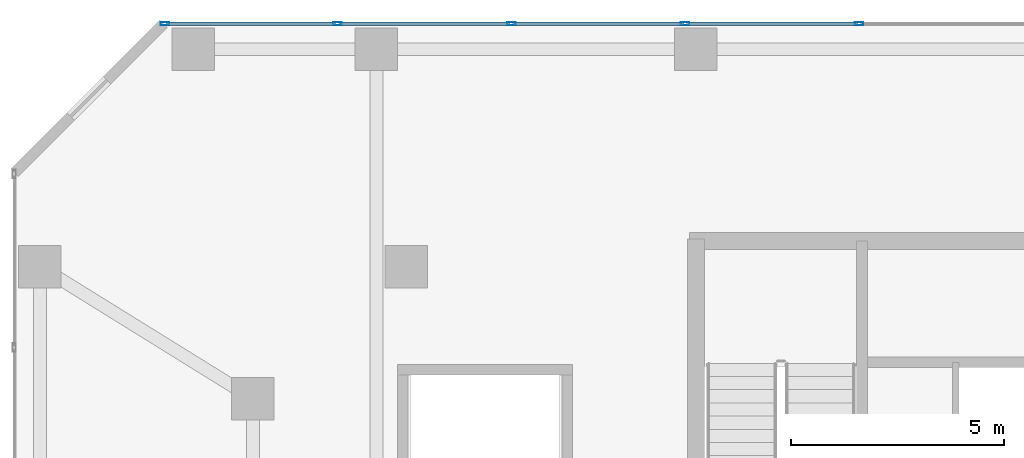
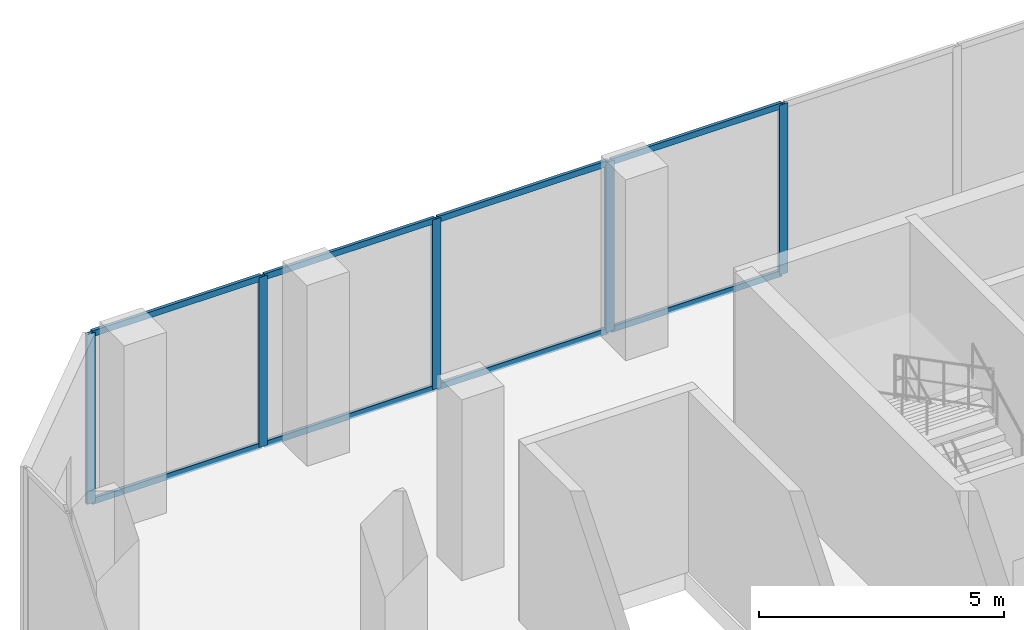
# One storey, part 15 of 24: 13 members, 1 element without a shape of its own.
"""IFC4 building model written with IfcOpenShell, lengths in metres."""

import ifcopenshell
import ifcopenshell.guid

model = None  # the IFC model being written
_history = None  # IfcOwnerHistory: only IFC2X3 demands one
_inside = {}  # id of a spatial element -> (the spatial element, [elements in it])
_under = {}  # id of a project, library or spatial element -> (it, [spatial elements below it])
_declared = {}  # id of a project -> (the project, [libraries it declares])
_typed = {}  # id of a type object -> (the type object, [elements of that type])
_made_of = {}  # id of a material, layer set ... -> (it, [elements and type objects made of it])


def new_model(schema):
    """Start an empty IFC model of exactly this schema.

    Asked for "IFC4X3", IfcOpenShell would pick the latest addendum, in which some entities
    have other attributes; the version numbers below select the first issue.
    IFC2X3 requires an IfcOwnerHistory on every rooted entity: one is made here for all.
    """
    global model, _history
    if schema == "IFC4X3":
        model = ifcopenshell.file(schema_version=(4, 3, 0, 0))
    else:
        model = ifcopenshell.file(schema=schema)
    _inside.clear()
    _under.clear()
    _declared.clear()
    _typed.clear()
    _made_of.clear()
    _history = None
    if model.schema == "IFC2X3":
        org = make("IfcOrganization", Name="unknown")
        user = make(
            "IfcPersonAndOrganization",
            ThePerson=make("IfcPerson", FamilyName="unknown"),
            TheOrganization=org,
        )
        app = make(
            "IfcApplication",
            ApplicationDeveloper=org,
            Version="unknown",
            ApplicationFullName="unknown",
            ApplicationIdentifier="unknown",
        )
        _history = make(
            "IfcOwnerHistory",
            OwningUser=user,
            OwningApplication=app,
            ChangeAction="ADDED",
            CreationDate=0,
        )
    return model


def make(cls, **values):
    """One entity of the class cls with the attributes given. An attribute that is None is left unset."""
    return model.create_entity(
        cls, **{name: value for name, value in values.items() if value is not None}
    )


def rooted(cls, **values):
    """An entity with a GlobalId (a new one), such as an element, a storey or a relation."""
    return make(cls, GlobalId=ifcopenshell.guid.new(), OwnerHistory=_history, **values)


def si_unit(unit_type, name, prefix=None):
    """IfcSIUnit, for example si_unit("LENGTHUNIT", "METRE", prefix="MILLI")."""
    return make("IfcSIUnit", UnitType=unit_type, Prefix=prefix, Name=name)


def assignment(units):
    """IfcUnitAssignment: the units of a project."""
    return None if units is None else make("IfcUnitAssignment", Units=units)


def point(xyz):
    """IfcCartesianPoint."""
    return None if xyz is None else make("IfcCartesianPoint", Coordinates=xyz)


def direction(xyz):
    """IfcDirection."""
    return None if xyz is None else make("IfcDirection", DirectionRatios=xyz)


def frame(location, z_axis=None, x_axis=None):
    """IfcAxis2Placement3D, a coordinate frame: its origin and axes. An axis left out is left unset."""
    return make(
        "IfcAxis2Placement3D",
        Location=point(location),
        Axis=direction(z_axis),
        RefDirection=direction(x_axis),
    )


def frame_2d(location, x_axis=None):
    """IfcAxis2Placement2D, a coordinate frame in the plane: its origin and x axis."""
    return make(
        "IfcAxis2Placement2D", Location=point(location), RefDirection=direction(x_axis)
    )


def origin():
    """The frame at (0, 0, 0) with its axes left unset."""
    return frame((0.0, 0.0, 0.0))


def origin_2d():
    """The frame at (0, 0) in the plane with its x axis left unset."""
    return frame_2d((0.0, 0.0))


def place(relative_to, where):
    """IfcLocalPlacement: puts the frame where relative to a parent placement (None: the world)."""
    return make(
        "IfcLocalPlacement", PlacementRelTo=relative_to, RelativePlacement=where
    )


def context(
    kind, dimensions, precision=None, world=None, true_north=None, identifier=None
):
    """IfcGeometricRepresentationContext, for example the 3D "Model" context."""
    return make(
        "IfcGeometricRepresentationContext",
        ContextIdentifier=identifier,
        ContextType=kind,
        CoordinateSpaceDimension=dimensions,
        Precision=precision,
        WorldCoordinateSystem=world,
        TrueNorth=true_north,
    )


def subcontext(parent, identifier, kind, view, scale=None):
    """IfcGeometricRepresentationSubContext, for example "Body" below "Model"."""
    return make(
        "IfcGeometricRepresentationSubContext",
        ContextIdentifier=identifier,
        ContextType=kind,
        ParentContext=parent,
        TargetScale=scale,
        TargetView=view,
    )


def project(units=None, contexts=None):
    """IfcProject with its units and contexts."""
    return rooted(
        "IfcProject",
        Name="project",
        RepresentationContexts=contexts,
        UnitsInContext=assignment(units),
    )


def spatial(cls, under=None, at=None, **own):
    """A site, building, storey or space (cls), placed at a placement, below another one or the project."""
    s = rooted(cls, ObjectPlacement=at, **own)
    if under is not None:
        _under.setdefault(under.id(), (under, []))[1].append(s)
    return s


def profile(cls, at=None, kind="AREA", **sizes):
    """A parametric profile (cls). Its sizes go by their IFC names, for example OverallWidth=200.0."""
    return make(cls, ProfileType=kind, Position=at, **sizes)


def hollow_rectangle(**sizes):
    """IfcRectangleHollowProfileDef."""
    return profile("IfcRectangleHollowProfileDef", **sizes)


def extrude(swept, where, along, depth):
    """IfcExtrudedAreaSolid: the profile swept, set in the frame where, extruded along a direction by depth."""
    return make(
        "IfcExtrudedAreaSolid",
        SweptArea=swept,
        Position=where,
        ExtrudedDirection=direction(along),
        Depth=depth,
    )


def shape(context_of_items, identifier, shape_type, items):
    """IfcShapeRepresentation: the items that make up one representation, for example the "Body"."""
    return make(
        "IfcShapeRepresentation",
        ContextOfItems=context_of_items,
        RepresentationIdentifier=identifier,
        RepresentationType=shape_type,
        Items=items,
    )


def material(Name=None, Category=None):
    """IfcMaterial."""
    return make("IfcMaterial", Name=Name, Category=Category)


def layer(
    of_material, thickness, ventilated=None, Name=None, Category=None, Priority=None
):
    """IfcMaterialLayer: one layer of a wall or slab, of a material (None: an air gap)."""
    return make(
        "IfcMaterialLayer",
        Material=of_material,
        LayerThickness=thickness,
        IsVentilated=ventilated,
        Name=Name,
        Category=Category,
        Priority=Priority,
    )


def layer_set(layers, Name=None):
    """IfcMaterialLayerSet."""
    return make("IfcMaterialLayerSet", MaterialLayers=layers, LayerSetName=Name)


def material_profile(
    of_material, cross_section, Name=None, Category=None, Priority=None
):
    """IfcMaterialProfile: a cross section and its material."""
    return make(
        "IfcMaterialProfile",
        Name=Name,
        Material=of_material,
        Profile=cross_section,
        Priority=Priority,
        Category=Category,
    )


def profile_set(profiles, Name=None, composite=None):
    """IfcMaterialProfileSet."""
    return make(
        "IfcMaterialProfileSet",
        Name=Name,
        MaterialProfiles=profiles,
        CompositeProfile=composite,
    )


def made_of(thing, what):
    """Note that an element or type object is made of a material, layer set ...; save() writes the relation."""
    if what is not None:
        _made_of.setdefault(what.id(), (what, []))[1].append(thing)
    return thing


def type_object(cls, material=None, **own):
    """A type object (cls), such as IfcWallType, which elements share."""
    return made_of(rooted(cls, **own), material)


def element(
    cls,
    number,
    at=None,
    inside=None,
    cuts=None,
    type_object=None,
    material=None,
    context=None,
    identifier="Body",
    shape_type=None,
    held_by="IfcProductDefinitionShape",
    body=None,
    shapes=None,
    **own,
):
    """One element of the class cls, such as IfcWall. Its Tag is "e" and its number.

    at: its placement. inside: the storey or other place that contains it. cuts: it is an
    opening in that element (IfcRelVoidsElement). A single representation is given by context,
    identifier, shape_type and body (its items); several are given by shapes. held_by: the class
    of the entity that holds the representations. save() writes the other relations.
    """
    e = rooted(cls, Tag="e%d" % number, ObjectPlacement=at, **own)
    if body is not None:
        shapes = [shape(context, identifier, shape_type, body)]
    if shapes is not None:
        e.Representation = make(held_by, Representations=shapes)
    if inside is not None:
        _inside.setdefault(inside.id(), (inside, []))[1].append(e)
    if cuts is not None:
        rooted(
            "IfcRelVoidsElement", RelatingBuildingElement=cuts, RelatedOpeningElement=e
        )
    if type_object is not None:
        _typed.setdefault(type_object.id(), (type_object, []))[1].append(e)
    return made_of(e, material)


def aggregate(whole, parts):
    """IfcRelAggregates: a whole, such as a stair, and the parts it consists of."""
    return rooted("IfcRelAggregates", RelatingObject=whole, RelatedObjects=parts)


def save(model, path):
    """Write the relations noted so far, then the file.

    IfcRelAggregates (storeys below a building ...), IfcRelContainedInSpatialStructure (elements
    in a storey), IfcRelDefinesByType, IfcRelAssociatesMaterial and IfcRelDeclares: one each for
    every whole, place, type object, material and project.
    """
    for whole, parts in _under.values():
        aggregate(whole, parts)
    for where, things in _inside.values():
        rooted(
            "IfcRelContainedInSpatialStructure",
            RelatedElements=things,
            RelatingStructure=where,
        )
    for kind, things in _typed.values():
        rooted("IfcRelDefinesByType", RelatedObjects=things, RelatingType=kind)
    for what, things in _made_of.values():
        rooted("IfcRelAssociatesMaterial", RelatedObjects=things, RelatingMaterial=what)
    for by, libraries in _declared.values():
        rooted("IfcRelDeclares", RelatingContext=by, RelatedDefinitions=libraries)
    model.write(path)


model = new_model("IFC4")

# Units and contexts
model_context = context("Model", 3, precision=1e-05, world=origin(), true_north=direction((0.0, 1.0)))
body_context = subcontext(model_context, "Body", "Model", "MODEL_VIEW")
ifc_project = project(units=[si_unit("LENGTHUNIT", "METRE"), si_unit("AREAUNIT", "SQUARE_METRE"), si_unit("VOLUMEUNIT", "CUBIC_METRE"), si_unit("PLANEANGLEUNIT", "RADIAN"), si_unit("MASSUNIT", "GRAM", prefix="KILO")], contexts=[model_context])

# Site, building, storey
site_placement = place(None, origin())
site = spatial("IfcSite", under=ifc_project, at=site_placement, CompositionType="ELEMENT")
building_placement = place(site_placement, origin())
building = spatial("IfcBuilding", under=site, at=building_placement, Name="Catumbela Crestline Tower", CompositionType="ELEMENT")
storey_placement = place(building_placement, frame((0.0, 0.0, 21.3)))
storey = spatial("IfcBuildingStorey", under=building, at=storey_placement, Name="L04", CompositionType="ELEMENT", Elevation=21.3)

# Curtain wall, members
ifc_material = material(Name="Aluminium alloy AW-6060-T66", Category="aluminium")
ifc_layer = layer(ifc_material, 0.18, Name="Aluminium alloy AW-6060-T66")
ifc_layer_set = layer_set([ifc_layer], Name="Aluminium alloy AW-6060-T66")
curtain_wall_type = type_object("IfcCurtainWallType", Name="CWS-POD", PredefinedType="USERDEFINED", material=ifc_layer_set)
curtain_wall_placement = place(storey_placement, origin())
curtain_wall = element("IfcCurtainWall", 1, at=curtain_wall_placement, inside=storey, type_object=curtain_wall_type, Name="L04 Stick Curtain Wall CW-L04-E7S1", ObjectType="STICK", PredefinedType="USERDEFINED")
ifc_material_profile_1 = material_profile(ifc_material, hollow_rectangle(XDim=0.075, YDim=0.2, WallThickness=0.005, at=origin_2d()), Name="ALU 200x75x5")
ifc_profile_set_1 = profile_set([ifc_material_profile_1], Name="Aluminium alloy AW-6060-T66")
member_type_1 = type_object("IfcMemberType", Name="MUL-200X75", PredefinedType="MULLION", material=ifc_profile_set_1)
member_1_placement = place(storey_placement, frame((19.8333, 48.0, 0.0), z_axis=(0.0, 0.0, 1.0), x_axis=(0.0, -1.0, 0.0)))
member_1 = element("IfcMember", 2, at=member_1_placement, type_object=member_type_1, Name="CWS-POD mullion 9", PredefinedType="MULLION", context=body_context, shape_type="SweptSolid", body=[
    extrude(hollow_rectangle(XDim=0.075, YDim=0.2, WallThickness=0.005, at=origin_2d()), origin(), (0.0, 0.0, 1.0), 4.23),
])
member_2_placement = place(storey_placement, frame((15.75, 48.0, 0.0), z_axis=(0.0, 0.0, 1.0), x_axis=(0.0, -1.0, 0.0)))
member_2 = element("IfcMember", 3, at=member_2_placement, type_object=member_type_1, Name="CWS-POD mullion 10", PredefinedType="MULLION", context=body_context, shape_type="SweptSolid", body=[
    extrude(hollow_rectangle(XDim=0.075, YDim=0.2, WallThickness=0.005, at=origin_2d()), origin(), (0.0, 0.0, 1.0), 4.23),
])
member_3_placement = place(storey_placement, frame((11.6667, 48.0, 0.0), z_axis=(0.0, 0.0, 1.0), x_axis=(0.0, -1.0, 0.0)))
member_3 = element("IfcMember", 4, at=member_3_placement, type_object=member_type_1, Name="CWS-POD mullion 11", PredefinedType="MULLION", context=body_context, shape_type="SweptSolid", body=[
    extrude(hollow_rectangle(XDim=0.075, YDim=0.2, WallThickness=0.005, at=origin_2d()), origin(), (0.0, 0.0, 1.0), 4.23),
])
member_4_placement = place(storey_placement, frame((7.5833, 48.0, 0.0), z_axis=(0.0, 0.0, 1.0), x_axis=(0.0, -1.0, 0.0)))
member_4 = element("IfcMember", 5, at=member_4_placement, type_object=member_type_1, Name="CWS-POD mullion 12", PredefinedType="MULLION", context=body_context, shape_type="SweptSolid", body=[
    extrude(hollow_rectangle(XDim=0.075, YDim=0.2, WallThickness=0.005, at=origin_2d()), origin(), (0.0, 0.0, 1.0), 4.23),
])
member_5_placement = place(storey_placement, frame((3.5325, 48.0, 0.0), z_axis=(0.0, 0.0, 1.0), x_axis=(0.0, -1.0, 0.0)))
member_5 = element("IfcMember", 6, at=member_5_placement, type_object=member_type_1, Name="CWS-POD mullion 13", PredefinedType="MULLION", context=body_context, shape_type="SweptSolid", body=[
    extrude(hollow_rectangle(XDim=0.075, YDim=0.2, WallThickness=0.005, at=origin_2d()), origin(), (0.0, 0.0, 1.0), 4.23),
])
ifc_material_profile_2 = material_profile(ifc_material, hollow_rectangle(XDim=0.075, YDim=0.15, WallThickness=0.0045, at=origin_2d()), Name="ALU 150x75x4.5")
ifc_profile_set_2 = profile_set([ifc_material_profile_2], Name="Aluminium alloy AW-6060-T66")
member_type_2 = type_object("IfcMemberType", Name="TRN-150X75", PredefinedType="USERDEFINED", material=ifc_profile_set_2)
member_6_placement = place(storey_placement, frame((19.8008, 48.0, 0.03), z_axis=(-1.0, 0.0, 0.0), x_axis=(0.0, -1.0, 0.0)))
member_6 = element("IfcMember", 7, at=member_6_placement, type_object=member_type_2, Name="CWS-POD transom 9.1", ObjectType="TRANSOM", PredefinedType="USERDEFINED", context=body_context, shape_type="SweptSolid", body=[
    extrude(hollow_rectangle(XDim=0.075, YDim=0.15, WallThickness=0.0045, at=origin_2d()), origin(), (0.0, 0.0, 1.0), 4.0183),
])
member_7_placement = place(storey_placement, frame((19.8008, 48.0, 4.2), z_axis=(-1.0, 0.0, 0.0), x_axis=(0.0, -1.0, 0.0)))
member_7 = element("IfcMember", 8, at=member_7_placement, type_object=member_type_2, Name="CWS-POD transom 9.2", ObjectType="TRANSOM", PredefinedType="USERDEFINED", context=body_context, shape_type="SweptSolid", body=[
    extrude(hollow_rectangle(XDim=0.075, YDim=0.15, WallThickness=0.0045, at=origin_2d()), origin(), (0.0, 0.0, 1.0), 4.0183),
])
member_8_placement = place(storey_placement, frame((15.7175, 48.0, 0.03), z_axis=(-1.0, 0.0, 0.0), x_axis=(0.0, -1.0, 0.0)))
member_8 = element("IfcMember", 9, at=member_8_placement, type_object=member_type_2, Name="CWS-POD transom 10.1", ObjectType="TRANSOM", PredefinedType="USERDEFINED", context=body_context, shape_type="SweptSolid", body=[
    extrude(hollow_rectangle(XDim=0.075, YDim=0.15, WallThickness=0.0045, at=origin_2d()), origin(), (0.0, 0.0, 1.0), 4.0183),
])
member_9_placement = place(storey_placement, frame((15.7175, 48.0, 4.2), z_axis=(-1.0, 0.0, 0.0), x_axis=(0.0, -1.0, 0.0)))
member_9 = element("IfcMember", 10, at=member_9_placement, type_object=member_type_2, Name="CWS-POD transom 10.2", ObjectType="TRANSOM", PredefinedType="USERDEFINED", context=body_context, shape_type="SweptSolid", body=[
    extrude(hollow_rectangle(XDim=0.075, YDim=0.15, WallThickness=0.0045, at=origin_2d()), origin(), (0.0, 0.0, 1.0), 4.0183),
])
member_10_placement = place(storey_placement, frame((11.6342, 48.0, 0.03), z_axis=(-1.0, 0.0, 0.0), x_axis=(0.0, -1.0, 0.0)))
member_10 = element("IfcMember", 11, at=member_10_placement, type_object=member_type_2, Name="CWS-POD transom 11.1", ObjectType="TRANSOM", PredefinedType="USERDEFINED", context=body_context, shape_type="SweptSolid", body=[
    extrude(hollow_rectangle(XDim=0.075, YDim=0.15, WallThickness=0.0045, at=origin_2d()), origin(), (0.0, 0.0, 1.0), 4.0184),
])
member_11_placement = place(storey_placement, frame((11.6342, 48.0, 4.2), z_axis=(-1.0, 0.0, 0.0), x_axis=(0.0, -1.0, 0.0)))
member_11 = element("IfcMember", 12, at=member_11_placement, type_object=member_type_2, Name="CWS-POD transom 11.2", ObjectType="TRANSOM", PredefinedType="USERDEFINED", context=body_context, shape_type="SweptSolid", body=[
    extrude(hollow_rectangle(XDim=0.075, YDim=0.15, WallThickness=0.0045, at=origin_2d()), origin(), (0.0, 0.0, 1.0), 4.0184),
])
member_12_placement = place(storey_placement, frame((7.5508, 48.0, 0.03), z_axis=(-1.0, 0.0, 0.0), x_axis=(0.0, -1.0, 0.0)))
member_12 = element("IfcMember", 13, at=member_12_placement, type_object=member_type_2, Name="CWS-POD transom 12.1", ObjectType="TRANSOM", PredefinedType="USERDEFINED", context=body_context, shape_type="SweptSolid", body=[
    extrude(hollow_rectangle(XDim=0.075, YDim=0.15, WallThickness=0.0045, at=origin_2d()), origin(), (0.0, 0.0, 1.0), 3.9858),
])
member_13_placement = place(storey_placement, frame((7.5508, 48.0, 4.2), z_axis=(-1.0, 0.0, 0.0), x_axis=(0.0, -1.0, 0.0)))
member_13 = element("IfcMember", 14, at=member_13_placement, type_object=member_type_2, Name="CWS-POD transom 12.2", ObjectType="TRANSOM", PredefinedType="USERDEFINED", context=body_context, shape_type="SweptSolid", body=[
    extrude(hollow_rectangle(XDim=0.075, YDim=0.15, WallThickness=0.0045, at=origin_2d()), origin(), (0.0, 0.0, 1.0), 3.9858),
])
aggregate(curtain_wall, [member_1, member_2, member_3, member_4, member_5, member_6, member_7, member_8, member_9, member_10, member_11, member_12, member_13])

save(model, "model.ifc")
